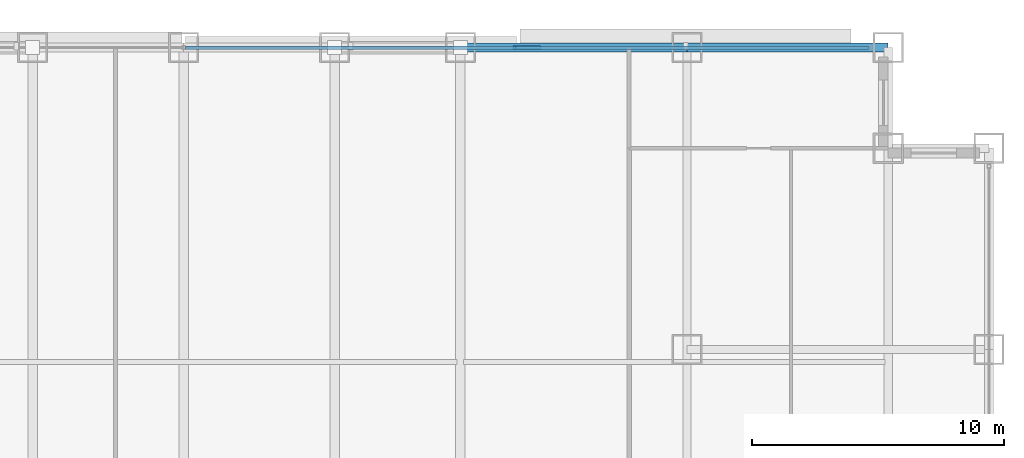
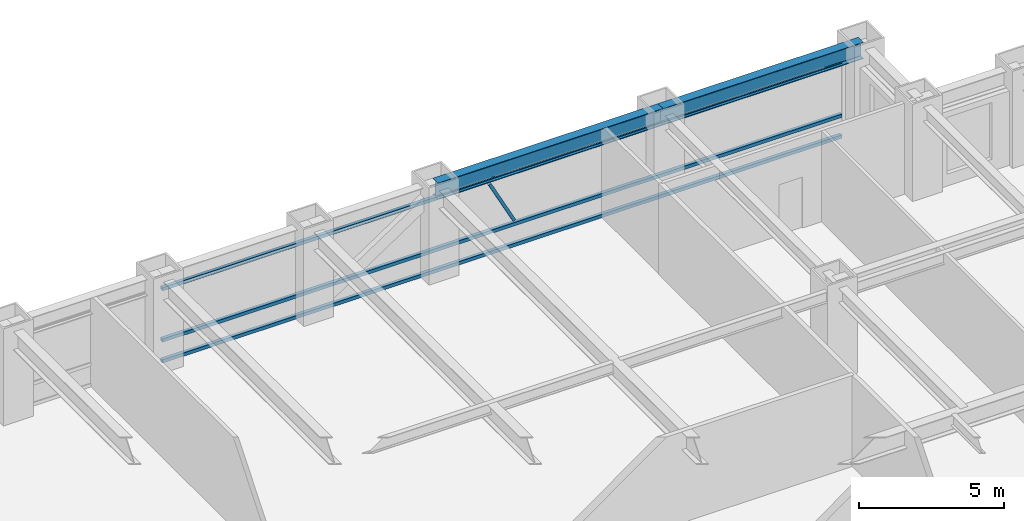
# One storey, part 20 of 32: 4 members, 2 beams, 1 element without a shape of its own.
"""IFC4 building model written with IfcOpenShell, lengths in metres."""

from ifc_helpers import new_model, si_unit, direction, frame, origin, origin_2d, place, context, subcontext, project, spatial, hollow_rectangle, i_section, extrude, source, transform, mapped, material, material_profile, profile_set, type_object, element, aggregate, save


model = new_model("IFC4")

# Units and contexts
model_context = context("Model", 3, precision=1e-05, world=origin(), true_north=direction((0.0, 1.0)))
body_context = subcontext(model_context, "Body", "Model", "MODEL_VIEW")
ifc_project = project(units=[si_unit("LENGTHUNIT", "METRE"), si_unit("AREAUNIT", "SQUARE_METRE"), si_unit("VOLUMEUNIT", "CUBIC_METRE"), si_unit("PLANEANGLEUNIT", "RADIAN"), si_unit("MASSUNIT", "GRAM", prefix="KILO")], contexts=[model_context])

# Site, building, storey
site_placement = place(None, origin())
site = spatial("IfcSite", under=ifc_project, at=site_placement, CompositionType="ELEMENT")
building_placement = place(site_placement, origin())
building = spatial("IfcBuilding", under=site, at=building_placement, Name="Khorayat Bourse Tower", CompositionType="ELEMENT")
storey_placement = place(building_placement, frame((0.0, 0.0, 128.300048828125)))
storey = spatial("IfcBuildingStorey", under=building, at=storey_placement, Name="L29", CompositionType="ELEMENT", Elevation=128.300048828125)

# Beams
ifc_material_1 = material(Name="Steel ASTM A992 Grade 50", Category="steel")
ifc_material_profile_1 = material_profile(ifc_material_1, i_section(OverallWidth=0.35498046875, OverallDepth=0.695068359375, WebThickness=0.015380859375, FlangeThickness=0.02490234375, FilletRadius=0.01806640625, at=origin_2d()), Name="W690X217")
ifc_profile_set_1 = profile_set([ifc_material_profile_1], Name="Steel ASTM A992 Grade 50")
beam_type = type_object("IfcBeamType", Name="BM-SPAN-690", PredefinedType="SPANDREL", material=ifc_profile_set_1)
shared_shape_1 = source(origin(), body_context, "Body", "SweptSolid", [
    extrude(i_section(OverallWidth=0.35498046875, OverallDepth=0.695068359375, WebThickness=0.015380859375, FlangeThickness=0.02490234375, FilletRadius=0.01806640625, at=origin_2d()), origin(), (0.0, 0.0, 1.0), 9.0),
])
beam_1_placement = place(storey_placement, frame((11.0, 32.0, 3.492431640625), z_axis=(1.0, 0.0, 0.0), x_axis=(0.0, 1.0, 0.0)))
element("IfcBeam", 1, at=beam_1_placement, inside=storey, type_object=beam_type, Name="L29 BM-SPAN-690 BM-L29-SPN-045", PredefinedType="SPANDREL", context=body_context, shape_type="MappedRepresentation", body=[
    mapped(shared_shape_1, transform((0.0, 0.0, 0.0), scale=1.0)),
])
shared_shape_2 = source(origin(), body_context, "Body", "SweptSolid", [
    extrude(i_section(OverallWidth=0.35498046875, OverallDepth=0.695068359375, WebThickness=0.015380859375, FlangeThickness=0.02490234375, FilletRadius=0.01806640625, at=origin_2d()), origin(), (0.0, 0.0, 1.0), 8.0),
])
beam_2_placement = place(storey_placement, frame((20.0, 32.0, 3.492431640625), z_axis=(1.0, 0.0, 0.0), x_axis=(0.0, 1.0, 0.0)))
element("IfcBeam", 2, at=beam_2_placement, inside=storey, type_object=beam_type, Name="L29 BM-SPAN-690 BM-L29-SPN-044", PredefinedType="SPANDREL", context=body_context, shape_type="MappedRepresentation", body=[
    mapped(shared_shape_2, transform((0.0, 0.0, 0.0), scale=1.0)),
])

# Curtain wall, members
ifc_material_2 = material(Name="Aluminium EN AW-6063 T6", Category="aluminium")
curtain_wall_type = type_object("IfcCurtainWallType", Name="CW-SYS-02", PredefinedType="NOTDEFINED", material=ifc_material_2)
curtain_wall_placement = place(storey_placement, origin())
curtain_wall = element("IfcCurtainWall", 3, at=curtain_wall_placement, inside=storey, type_object=curtain_wall_type, Name="L29 Curtain Wall CW-L29-N1", PredefinedType="NOTDEFINED")
ifc_material_profile_2 = material_profile(ifc_material_2, hollow_rectangle(XDim=0.139892578125, YDim=0.139892578125, WallThickness=0.006103515625, at=origin_2d()), Name="ALU 140x140x6")
ifc_profile_set_2 = profile_set([ifc_material_profile_2], Name="Aluminium EN AW-6063 T6")
member_type_1 = type_object("IfcMemberType", Name="CWT-HORZ-140", PredefinedType="USERDEFINED", material=ifc_profile_set_2)
shared_shape_3 = source(origin(), body_context, "Body", "SweptSolid", [
    extrude(hollow_rectangle(XDim=0.139892578125, YDim=0.139892578125, WallThickness=0.006103515625, at=origin_2d()), origin(), (0.0, 0.0, 1.0), 27.139892578125),
])
member_1_placement = place(storey_placement, frame((0.070068359375, 32.0, 0.070068359375), z_axis=(1.0, 0.0, 0.0), x_axis=(0.0, 1.0, 0.0)))
member_1 = element("IfcMember", 4, at=member_1_placement, type_object=member_type_1, Name="CW-L29-N1 Horizontal Transom 2-1", ObjectType="TRANSOM", PredefinedType="USERDEFINED", context=body_context, shape_type="MappedRepresentation", body=[
    mapped(shared_shape_3, transform((0.0, 0.0, 0.0), scale=1.0)),
])
member_2_placement = place(storey_placement, frame((0.070068359375, 32.0, 0.949951171875), z_axis=(1.0, 0.0, 0.0), x_axis=(0.0, 1.0, 0.0)))
member_2 = element("IfcMember", 5, at=member_2_placement, type_object=member_type_1, Name="CW-L29-N1 Horizontal Transom 2-2", ObjectType="TRANSOM", PredefinedType="USERDEFINED", context=body_context, shape_type="MappedRepresentation", body=[
    mapped(shared_shape_3, transform((0.0, 0.0, 0.0), scale=1.0)),
])
member_3_placement = place(storey_placement, frame((0.070068359375, 32.0, 3.119873046875), z_axis=(1.0, 0.0, 0.0), x_axis=(0.0, 1.0, 0.0)))
member_3 = element("IfcMember", 6, at=member_3_placement, type_object=member_type_1, Name="CW-L29-N1 Horizontal Transom 2-3", ObjectType="TRANSOM", PredefinedType="USERDEFINED", context=body_context, shape_type="MappedRepresentation", body=[
    mapped(shared_shape_3, transform((0.0, 0.0, 0.0), scale=1.0)),
])
ifc_material_profile_3 = material_profile(ifc_material_2, hollow_rectangle(XDim=0.1201171875, YDim=0.1201171875, WallThickness=0.0048828125, at=origin_2d()), Name="ALU 120x120x5")
ifc_profile_set_3 = profile_set([ifc_material_profile_3], Name="Aluminium EN AW-6063 T6")
member_type_2 = type_object("IfcMemberType", Name="CWM-DIAG-120", PredefinedType="MULLION", material=ifc_profile_set_3)
shared_shape_4 = source(origin(), body_context, "Body", "SweptSolid", [
    extrude(hollow_rectangle(XDim=0.1201171875, YDim=0.1201171875, WallThickness=0.0048828125, at=origin_2d()), origin(), (0.0, 0.0, 1.0), 2.11328125),
])
member_4_placement = place(storey_placement, frame((14.132080078125, 32.0, 1.099853515625), z_axis=(-0.465694055905, 0.0, 0.884945787207), x_axis=(0.0, -1.0, 0.0)))
member_4 = element("IfcMember", 7, at=member_4_placement, type_object=member_type_2, Name="CW-L29-N1 Faceted Diagonal Mullion 2", PredefinedType="MULLION", context=body_context, shape_type="MappedRepresentation", body=[
    mapped(shared_shape_4, transform((0.0, 0.0, 0.0), scale=1.0)),
])
aggregate(curtain_wall, [member_1, member_2, member_3, member_4])

save(model, "model.ifc")
